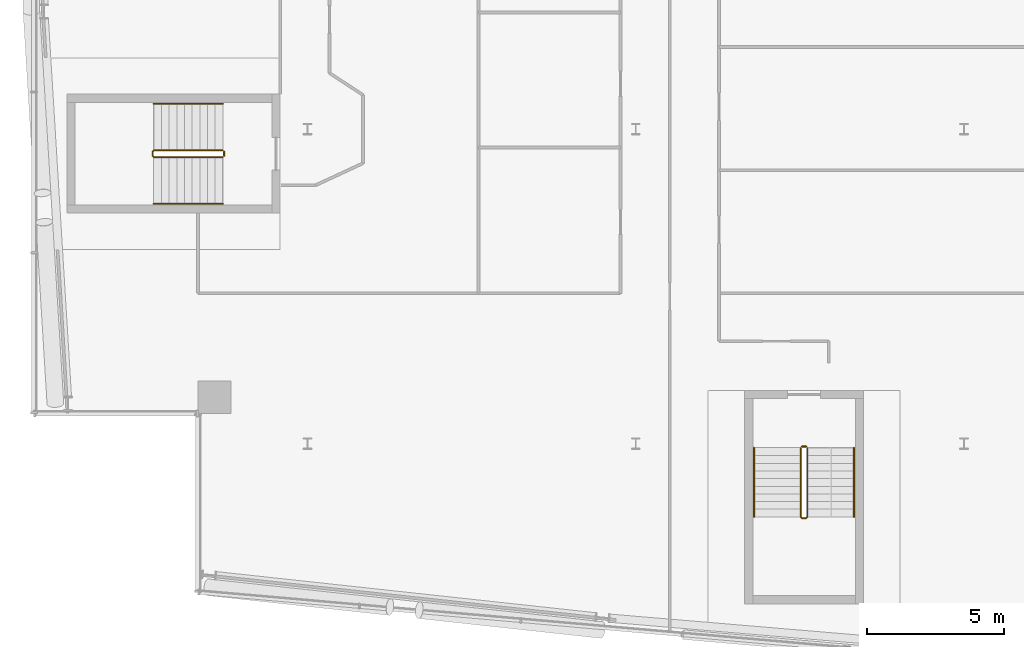
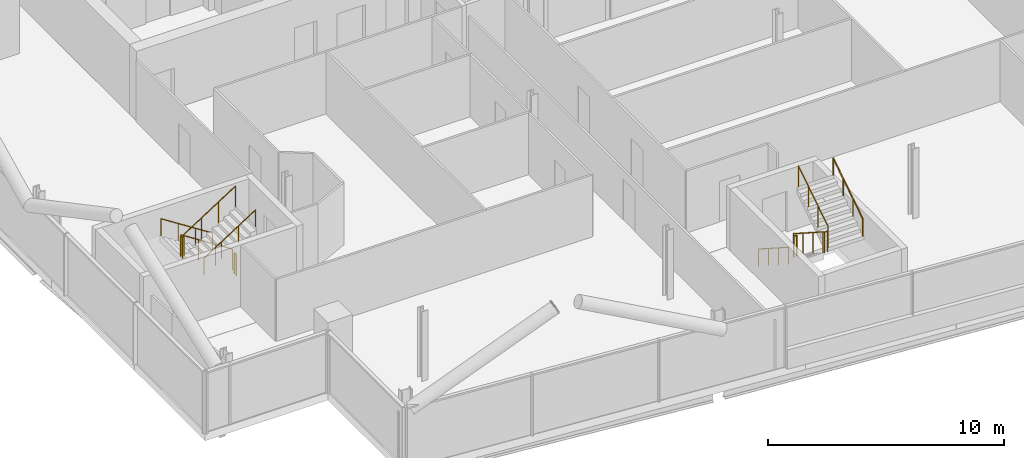
# One storey, part 23 of 25: 8 railings.
"""IFC4 building model written with IfcOpenShell, lengths in metres."""

import ifcopenshell
import ifcopenshell.guid

model = None  # the IFC model being written
_history = None  # IfcOwnerHistory: only IFC2X3 demands one
_inside = {}  # id of a spatial element -> (the spatial element, [elements in it])
_under = {}  # id of a project, library or spatial element -> (it, [spatial elements below it])
_declared = {}  # id of a project -> (the project, [libraries it declares])
_typed = {}  # id of a type object -> (the type object, [elements of that type])
_made_of = {}  # id of a material, layer set ... -> (it, [elements and type objects made of it])


def new_model(schema):
    """Start an empty IFC model of exactly this schema.

    Asked for "IFC4X3", IfcOpenShell would pick the latest addendum, in which some entities
    have other attributes; the version numbers below select the first issue.
    IFC2X3 requires an IfcOwnerHistory on every rooted entity: one is made here for all.
    """
    global model, _history
    if schema == "IFC4X3":
        model = ifcopenshell.file(schema_version=(4, 3, 0, 0))
    else:
        model = ifcopenshell.file(schema=schema)
    _inside.clear()
    _under.clear()
    _declared.clear()
    _typed.clear()
    _made_of.clear()
    _history = None
    if model.schema == "IFC2X3":
        org = make("IfcOrganization", Name="unknown")
        user = make(
            "IfcPersonAndOrganization",
            ThePerson=make("IfcPerson", FamilyName="unknown"),
            TheOrganization=org,
        )
        app = make(
            "IfcApplication",
            ApplicationDeveloper=org,
            Version="unknown",
            ApplicationFullName="unknown",
            ApplicationIdentifier="unknown",
        )
        _history = make(
            "IfcOwnerHistory",
            OwningUser=user,
            OwningApplication=app,
            ChangeAction="ADDED",
            CreationDate=0,
        )
    return model


def make(cls, **values):
    """One entity of the class cls with the attributes given. An attribute that is None is left unset."""
    return model.create_entity(
        cls, **{name: value for name, value in values.items() if value is not None}
    )


def rooted(cls, **values):
    """An entity with a GlobalId (a new one), such as an element, a storey or a relation."""
    return make(cls, GlobalId=ifcopenshell.guid.new(), OwnerHistory=_history, **values)


def si_unit(unit_type, name, prefix=None):
    """IfcSIUnit, for example si_unit("LENGTHUNIT", "METRE", prefix="MILLI")."""
    return make("IfcSIUnit", UnitType=unit_type, Prefix=prefix, Name=name)


def assignment(units):
    """IfcUnitAssignment: the units of a project."""
    return None if units is None else make("IfcUnitAssignment", Units=units)


def point(xyz):
    """IfcCartesianPoint."""
    return None if xyz is None else make("IfcCartesianPoint", Coordinates=xyz)


def direction(xyz):
    """IfcDirection."""
    return None if xyz is None else make("IfcDirection", DirectionRatios=xyz)


def frame(location, z_axis=None, x_axis=None):
    """IfcAxis2Placement3D, a coordinate frame: its origin and axes. An axis left out is left unset."""
    return make(
        "IfcAxis2Placement3D",
        Location=point(location),
        Axis=direction(z_axis),
        RefDirection=direction(x_axis),
    )


def frame_2d(location, x_axis=None):
    """IfcAxis2Placement2D, a coordinate frame in the plane: its origin and x axis."""
    return make(
        "IfcAxis2Placement2D", Location=point(location), RefDirection=direction(x_axis)
    )


def origin():
    """The frame at (0, 0, 0) with its axes left unset."""
    return frame((0.0, 0.0, 0.0))


def origin_2d():
    """The frame at (0, 0) in the plane with its x axis left unset."""
    return frame_2d((0.0, 0.0))


def place(relative_to, where):
    """IfcLocalPlacement: puts the frame where relative to a parent placement (None: the world)."""
    return make(
        "IfcLocalPlacement", PlacementRelTo=relative_to, RelativePlacement=where
    )


def context(
    kind, dimensions, precision=None, world=None, true_north=None, identifier=None
):
    """IfcGeometricRepresentationContext, for example the 3D "Model" context."""
    return make(
        "IfcGeometricRepresentationContext",
        ContextIdentifier=identifier,
        ContextType=kind,
        CoordinateSpaceDimension=dimensions,
        Precision=precision,
        WorldCoordinateSystem=world,
        TrueNorth=true_north,
    )


def subcontext(parent, identifier, kind, view, scale=None):
    """IfcGeometricRepresentationSubContext, for example "Body" below "Model"."""
    return make(
        "IfcGeometricRepresentationSubContext",
        ContextIdentifier=identifier,
        ContextType=kind,
        ParentContext=parent,
        TargetScale=scale,
        TargetView=view,
    )


def project(units=None, contexts=None):
    """IfcProject with its units and contexts."""
    return rooted(
        "IfcProject",
        Name="project",
        RepresentationContexts=contexts,
        UnitsInContext=assignment(units),
    )


def spatial(cls, under=None, at=None, **own):
    """A site, building, storey or space (cls), placed at a placement, below another one or the project."""
    s = rooted(cls, ObjectPlacement=at, **own)
    if under is not None:
        _under.setdefault(under.id(), (under, []))[1].append(s)
    return s


def profile(cls, at=None, kind="AREA", **sizes):
    """A parametric profile (cls). Its sizes go by their IFC names, for example OverallWidth=200.0."""
    return make(cls, ProfileType=kind, Position=at, **sizes)


def circle(**sizes):
    """IfcCircleProfileDef."""
    return profile("IfcCircleProfileDef", **sizes)


def extrude(swept, where, along, depth):
    """IfcExtrudedAreaSolid: the profile swept, set in the frame where, extruded along a direction by depth."""
    return make(
        "IfcExtrudedAreaSolid",
        SweptArea=swept,
        Position=where,
        ExtrudedDirection=direction(along),
        Depth=depth,
    )


def shape(context_of_items, identifier, shape_type, items):
    """IfcShapeRepresentation: the items that make up one representation, for example the "Body"."""
    return make(
        "IfcShapeRepresentation",
        ContextOfItems=context_of_items,
        RepresentationIdentifier=identifier,
        RepresentationType=shape_type,
        Items=items,
    )


def material(Name=None, Category=None):
    """IfcMaterial."""
    return make("IfcMaterial", Name=Name, Category=Category)


def made_of(thing, what):
    """Note that an element or type object is made of a material, layer set ...; save() writes the relation."""
    if what is not None:
        _made_of.setdefault(what.id(), (what, []))[1].append(thing)
    return thing


def type_object(cls, material=None, **own):
    """A type object (cls), such as IfcWallType, which elements share."""
    return made_of(rooted(cls, **own), material)


def element(
    cls,
    number,
    at=None,
    inside=None,
    cuts=None,
    type_object=None,
    material=None,
    context=None,
    identifier="Body",
    shape_type=None,
    held_by="IfcProductDefinitionShape",
    body=None,
    shapes=None,
    **own,
):
    """One element of the class cls, such as IfcWall. Its Tag is "e" and its number.

    at: its placement. inside: the storey or other place that contains it. cuts: it is an
    opening in that element (IfcRelVoidsElement). A single representation is given by context,
    identifier, shape_type and body (its items); several are given by shapes. held_by: the class
    of the entity that holds the representations. save() writes the other relations.
    """
    e = rooted(cls, Tag="e%d" % number, ObjectPlacement=at, **own)
    if body is not None:
        shapes = [shape(context, identifier, shape_type, body)]
    if shapes is not None:
        e.Representation = make(held_by, Representations=shapes)
    if inside is not None:
        _inside.setdefault(inside.id(), (inside, []))[1].append(e)
    if cuts is not None:
        rooted(
            "IfcRelVoidsElement", RelatingBuildingElement=cuts, RelatedOpeningElement=e
        )
    if type_object is not None:
        _typed.setdefault(type_object.id(), (type_object, []))[1].append(e)
    return made_of(e, material)


def aggregate(whole, parts):
    """IfcRelAggregates: a whole, such as a stair, and the parts it consists of."""
    return rooted("IfcRelAggregates", RelatingObject=whole, RelatedObjects=parts)


def save(model, path):
    """Write the relations noted so far, then the file.

    IfcRelAggregates (storeys below a building ...), IfcRelContainedInSpatialStructure (elements
    in a storey), IfcRelDefinesByType, IfcRelAssociatesMaterial and IfcRelDeclares: one each for
    every whole, place, type object, material and project.
    """
    for whole, parts in _under.values():
        aggregate(whole, parts)
    for where, things in _inside.values():
        rooted(
            "IfcRelContainedInSpatialStructure",
            RelatedElements=things,
            RelatingStructure=where,
        )
    for kind, things in _typed.values():
        rooted("IfcRelDefinesByType", RelatedObjects=things, RelatingType=kind)
    for what, things in _made_of.values():
        rooted("IfcRelAssociatesMaterial", RelatedObjects=things, RelatingMaterial=what)
    for by, libraries in _declared.values():
        rooted("IfcRelDeclares", RelatingContext=by, RelatedDefinitions=libraries)
    model.write(path)


model = new_model("IFC4")

# Units and contexts
model_context = context("Model", 3, precision=1e-05, world=origin(), true_north=direction((0.0, 1.0)))
body_context = subcontext(model_context, "Body", "Model", "MODEL_VIEW")
ifc_project = project(units=[si_unit("LENGTHUNIT", "METRE"), si_unit("AREAUNIT", "SQUARE_METRE"), si_unit("VOLUMEUNIT", "CUBIC_METRE"), si_unit("PLANEANGLEUNIT", "RADIAN"), si_unit("MASSUNIT", "GRAM", prefix="KILO")], contexts=[model_context])

# Site, building, storey
site_placement = place(None, origin())
site = spatial("IfcSite", under=ifc_project, at=site_placement, CompositionType="ELEMENT")
building_placement = place(site_placement, origin())
building = spatial("IfcBuilding", under=site, at=building_placement, Name="Wharfspan Tower", CompositionType="ELEMENT")
storey_placement = place(building_placement, frame((0.0, 0.0, 225.100098)))
storey = spatial("IfcBuildingStorey", under=building, at=storey_placement, Name="L56", CompositionType="ELEMENT", Elevation=225.100098)

# Railings
ifc_material = material(Name="Steel S355J2", Category="steel")
railing_type_1 = type_object("IfcRailingType", Name="Stair guard 1100", PredefinedType="GUARDRAIL", material=ifc_material)
railing_1_placement = place(storey_placement, frame((20.899902, 22.225098, 0.179932)))
element("IfcRailing", 1, at=railing_1_placement, inside=storey, type_object=railing_type_1, Name="L56 ST3 stair guard 1", PredefinedType="GUARDRAIL", context=body_context, shape_type="SweptSolid", body=[
    extrude(circle(Radius=0.023926, at=origin_2d()), frame((0.0, 0.0, 1.076172), z_axis=(-0.8412, 0.0, 0.540725), x_axis=(0.0, -1.0, 0.0)), (0.0, 0.0, 1.0), 2.99585),
    extrude(circle(Radius=0.023926, at=origin_2d()), frame((-2.52002, 0.0, 2.695801), z_axis=(-0.705376, -0.708834, 0.0), x_axis=(0.708834, -0.705376, 0.0)), (0.0, 0.0, 1.0), 0.070557),
    extrude(circle(Radius=0.023926, at=origin_2d()), frame((-2.569824, -0.050049, 2.695801), z_axis=(0.0, -1.0, 0.0), x_axis=(1.0, 0.0, 0.0)), (0.0, 0.0, 1.0), 0.150146),
    extrude(circle(Radius=0.023926, at=origin_2d()), frame((-2.569824, -0.200195, 2.695801), z_axis=(0.25745, -0.25745, 0.931364), x_axis=(0.707107, 0.707107, 0.0)), (0.0, 0.0, 1.0), 0.193359),
    extrude(circle(Radius=0.023926, at=origin_2d()), frame((-2.52002, -0.25, 2.875977), z_axis=(0.8412, 0.0, 0.540725), x_axis=(0.0, 1.0, 0.0)), (0.0, 0.0, 1.0), 2.99585),
    extrude(circle(Radius=0.020996, at=origin_2d()), origin(), (0.0, 0.0, 1.0), 1.052002),
    extrude(circle(Radius=0.020996, at=origin_2d()), frame((-0.840088, 0.0, 0.540039)), (0.0, 0.0, 1.0), 1.052002),
    extrude(circle(Radius=0.020996, at=origin_2d()), frame((-1.679932, 0.0, 1.079834)), (0.0, 0.0, 1.0), 1.052002),
    extrude(circle(Radius=0.020996, at=origin_2d()), frame((-2.52002, 0.0, 1.619873)), (0.0, 0.0, 1.0), 1.052002),
    extrude(circle(Radius=0.020996, at=origin_2d()), frame((-2.569824, -0.050049, 1.619873)), (0.0, 0.0, 1.0), 1.052002),
    extrude(circle(Radius=0.020996, at=origin_2d()), frame((-2.569824, -0.200195, 1.619873)), (0.0, 0.0, 1.0), 1.052002),
    extrude(circle(Radius=0.020996, at=origin_2d()), frame((-2.52002, -0.25, 1.800049)), (0.0, 0.0, 1.0), 1.052002),
    extrude(circle(Radius=0.020996, at=origin_2d()), frame((-1.679932, -0.25, 2.340088)), (0.0, 0.0, 1.0), 1.052002),
    extrude(circle(Radius=0.020996, at=origin_2d()), frame((-0.840088, -0.25, 2.879883)), (0.0, 0.0, 1.0), 1.052002),
    extrude(circle(Radius=0.020996, at=origin_2d()), frame((0.0, -0.25, 3.419922)), (0.0, 0.0, 1.0), 1.052002),
])
railing_2_placement = place(storey_placement, frame((20.949951, 22.175049, 0.0)))
element("IfcRailing", 2, at=railing_2_placement, inside=storey, type_object=railing_type_1, Name="L56 ST3 stair guard 2", PredefinedType="GUARDRAIL", context=body_context, shape_type="SweptSolid", body=[
    extrude(circle(Radius=0.023926, at=origin_2d()), frame((0.0, 0.0, 1.076172), z_axis=(0.0, -1.0, 0.0), x_axis=(1.0, 0.0, 0.0)), (0.0, 0.0, 1.0), 0.150146),
    extrude(circle(Radius=0.020996, at=origin_2d()), origin(), (0.0, 0.0, 1.0), 1.052002),
    extrude(circle(Radius=0.020996, at=origin_2d()), frame((0.0, -0.150146, 0.0)), (0.0, 0.0, 1.0), 1.052002),
])
railing_3_placement = place(storey_placement, frame((42.0271, 11.343262, 0.179932)))
element("IfcRailing", 3, at=railing_3_placement, inside=storey, type_object=railing_type_1, Name="L56 ST4 stair guard 1", PredefinedType="GUARDRAIL", context=body_context, shape_type="SweptSolid", body=[
    extrude(circle(Radius=0.023926, at=origin_2d()), frame((0.0, 0.0, 1.076172), z_axis=(0.0, -0.8412, 0.540725), x_axis=(1.0, 0.0, 0.0)), (0.0, 0.0, 1.0), 2.99585),
    extrude(circle(Radius=0.023926, at=origin_2d()), frame((0.0, -2.52002, 2.695801), z_axis=(0.707107, -0.707107, 0.0), x_axis=(0.707107, 0.707107, 0.0)), (0.0, 0.0, 1.0), 0.070801),
    extrude(circle(Radius=0.023926, at=origin_2d()), frame((0.050049, -2.570068, 2.695801), z_axis=(1.0, 0.0, 0.0), x_axis=(0.0, 1.0, 0.0)), (0.0, 0.0, 1.0), 0.149902),
    extrude(circle(Radius=0.023926, at=origin_2d()), frame((0.199951, -2.570068, 2.695801), z_axis=(0.258544, 0.258544, 0.930758), x_axis=(-0.707107, 0.707107, 0.0)), (0.0, 0.0, 1.0), 0.193604),
    extrude(circle(Radius=0.023926, at=origin_2d()), frame((0.25, -2.52002, 2.875977), z_axis=(0.0, 0.8412, 0.540725), x_axis=(-1.0, 0.0, 0.0)), (0.0, 0.0, 1.0), 2.99585),
    extrude(circle(Radius=0.020996, at=origin_2d()), origin(), (0.0, 0.0, 1.0), 1.052002),
    extrude(circle(Radius=0.020996, at=origin_2d()), frame((0.0, -0.840088, 0.540039)), (0.0, 0.0, 1.0), 1.052002),
    extrude(circle(Radius=0.020996, at=origin_2d()), frame((0.0, -1.679932, 1.079834)), (0.0, 0.0, 1.0), 1.052002),
    extrude(circle(Radius=0.020996, at=origin_2d()), frame((0.0, -2.52002, 1.619873)), (0.0, 0.0, 1.0), 1.052002),
    extrude(circle(Radius=0.020996, at=origin_2d()), frame((0.050049, -2.570068, 1.619873)), (0.0, 0.0, 1.0), 1.052002),
    extrude(circle(Radius=0.020996, at=origin_2d()), frame((0.199951, -2.570068, 1.619873)), (0.0, 0.0, 1.0), 1.052002),
    extrude(circle(Radius=0.020996, at=origin_2d()), frame((0.25, -2.52002, 1.800049)), (0.0, 0.0, 1.0), 1.052002),
    extrude(circle(Radius=0.020996, at=origin_2d()), frame((0.25, -1.679932, 2.340088)), (0.0, 0.0, 1.0), 1.052002),
    extrude(circle(Radius=0.020996, at=origin_2d()), frame((0.25, -0.840088, 2.879883)), (0.0, 0.0, 1.0), 1.052002),
    extrude(circle(Radius=0.020996, at=origin_2d()), frame((0.25, 0.0, 3.419922)), (0.0, 0.0, 1.0), 1.052002),
])
railing_4_placement = place(storey_placement, frame((42.077148, 11.393311, 0.0)))
element("IfcRailing", 4, at=railing_4_placement, inside=storey, type_object=railing_type_1, Name="L56 ST4 stair guard 2", PredefinedType="GUARDRAIL", context=body_context, shape_type="SweptSolid", body=[
    extrude(circle(Radius=0.023926, at=origin_2d()), frame((0.0, 0.0, 1.076172), z_axis=(1.0, 0.0, 0.0), x_axis=(0.0, 1.0, 0.0)), (0.0, 0.0, 1.0), 0.149902),
    extrude(circle(Radius=0.020996, at=origin_2d()), origin(), (0.0, 0.0, 1.0), 1.052002),
    extrude(circle(Radius=0.020996, at=origin_2d()), frame((0.149902, 0.0, 0.0)), (0.0, 0.0, 1.0), 1.052002),
])
railing_type_2 = type_object("IfcRailingType", Name="Stair handrail 900", PredefinedType="HANDRAIL", material=ifc_material)
railing_5_placement = place(storey_placement, frame((20.899902, 23.925049, 0.179932)))
element("IfcRailing", 5, at=railing_5_placement, inside=storey, type_object=railing_type_2, Name="L56 ST3 stair handrail 1", PredefinedType="HANDRAIL", context=body_context, shape_type="SweptSolid", body=[
    extrude(circle(Radius=0.023926, at=origin_2d()), frame((0.0, 0.0, 0.875977), z_axis=(-0.8412, 0.0, 0.540725), x_axis=(0.0, -1.0, 0.0)), (0.0, 0.0, 1.0), 2.99585),
    extrude(circle(Radius=0.020996, at=origin_2d()), origin(), (0.0, 0.0, 1.0), 0.851807),
    extrude(circle(Radius=0.020996, at=origin_2d()), frame((-0.840088, 0.0, 0.540039)), (0.0, 0.0, 1.0), 0.851807),
    extrude(circle(Radius=0.020996, at=origin_2d()), frame((-1.679932, 0.0, 1.079834)), (0.0, 0.0, 1.0), 0.851807),
    extrude(circle(Radius=0.020996, at=origin_2d()), frame((-2.52002, 0.0, 1.619873)), (0.0, 0.0, 1.0), 0.851807),
])
railing_6_placement = place(storey_placement, frame((18.379883, 20.274902, 1.97998)))
element("IfcRailing", 6, at=railing_6_placement, inside=storey, type_object=railing_type_2, Name="L56 ST3 stair handrail 2", PredefinedType="HANDRAIL", context=body_context, shape_type="SweptSolid", body=[
    extrude(circle(Radius=0.023926, at=origin_2d()), frame((0.0, 0.0, 0.875977), z_axis=(0.8412, 0.0, 0.540725), x_axis=(0.0, 1.0, 0.0)), (0.0, 0.0, 1.0), 2.99585),
    extrude(circle(Radius=0.020996, at=origin_2d()), origin(), (0.0, 0.0, 1.0), 0.851807),
    extrude(circle(Radius=0.020996, at=origin_2d()), frame((0.840088, 0.0, 0.540039)), (0.0, 0.0, 1.0), 0.851807),
    extrude(circle(Radius=0.020996, at=origin_2d()), frame((1.679932, 0.0, 1.079834)), (0.0, 0.0, 1.0), 0.851807),
    extrude(circle(Radius=0.020996, at=origin_2d()), frame((2.52002, 0.0, 1.619873)), (0.0, 0.0, 1.0), 0.851807),
])
railing_7_placement = place(storey_placement, frame((40.327148, 11.343262, 0.179932)))
element("IfcRailing", 7, at=railing_7_placement, inside=storey, type_object=railing_type_2, Name="L56 ST4 stair handrail 1", PredefinedType="HANDRAIL", context=body_context, shape_type="SweptSolid", body=[
    extrude(circle(Radius=0.023926, at=origin_2d()), frame((0.0, 0.0, 0.875977), z_axis=(0.0, -0.8412, 0.540725), x_axis=(1.0, 0.0, 0.0)), (0.0, 0.0, 1.0), 2.99585),
    extrude(circle(Radius=0.020996, at=origin_2d()), origin(), (0.0, 0.0, 1.0), 0.851807),
    extrude(circle(Radius=0.020996, at=origin_2d()), frame((0.0, -0.840088, 0.540039)), (0.0, 0.0, 1.0), 0.851807),
    extrude(circle(Radius=0.020996, at=origin_2d()), frame((0.0, -1.679932, 1.079834)), (0.0, 0.0, 1.0), 0.851807),
    extrude(circle(Radius=0.020996, at=origin_2d()), frame((0.0, -2.52002, 1.619873)), (0.0, 0.0, 1.0), 0.851807),
])
railing_8_placement = place(storey_placement, frame((43.977051, 8.823242, 1.97998)))
element("IfcRailing", 8, at=railing_8_placement, inside=storey, type_object=railing_type_2, Name="L56 ST4 stair handrail 2", PredefinedType="HANDRAIL", context=body_context, shape_type="SweptSolid", body=[
    extrude(circle(Radius=0.023926, at=origin_2d()), frame((0.0, 0.0, 0.875977), z_axis=(0.0, 0.8412, 0.540725), x_axis=(-1.0, 0.0, 0.0)), (0.0, 0.0, 1.0), 2.99585),
    extrude(circle(Radius=0.020996, at=origin_2d()), origin(), (0.0, 0.0, 1.0), 0.851807),
    extrude(circle(Radius=0.020996, at=origin_2d()), frame((0.0, 0.840088, 0.540039)), (0.0, 0.0, 1.0), 0.851807),
    extrude(circle(Radius=0.020996, at=origin_2d()), frame((0.0, 1.679932, 1.079834)), (0.0, 0.0, 1.0), 0.851807),
    extrude(circle(Radius=0.020996, at=origin_2d()), frame((0.0, 2.52002, 1.619873)), (0.0, 0.0, 1.0), 0.851807),
])

save(model, "model.ifc")
